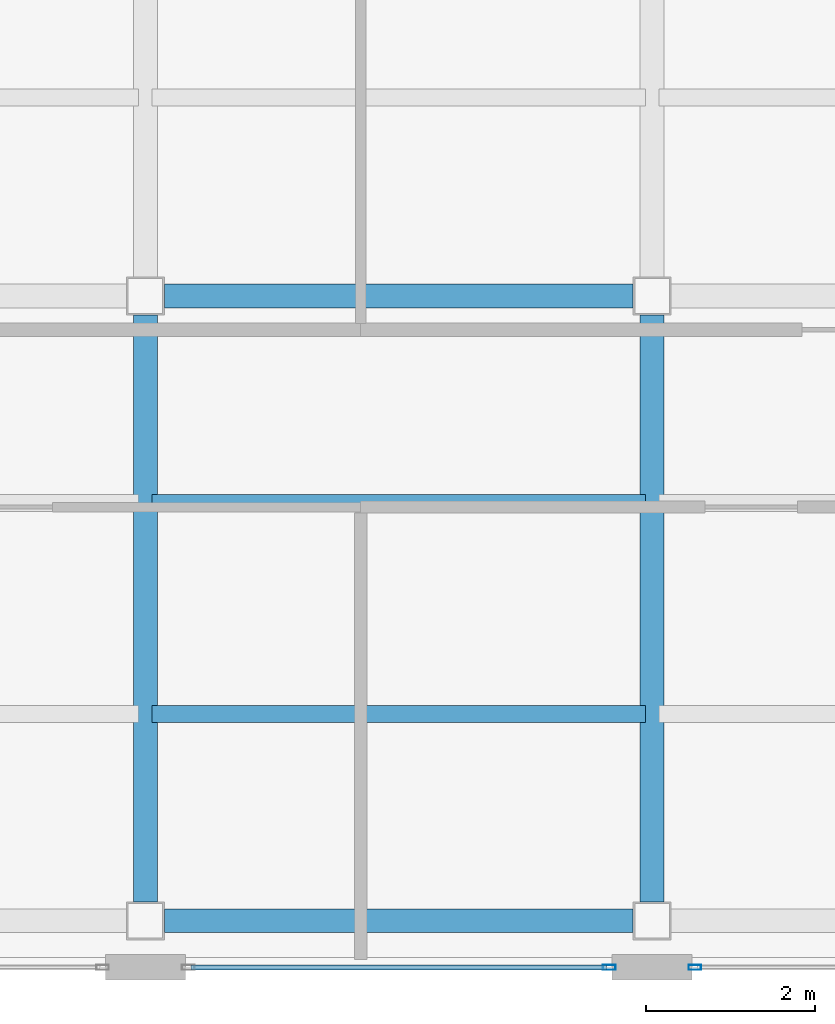
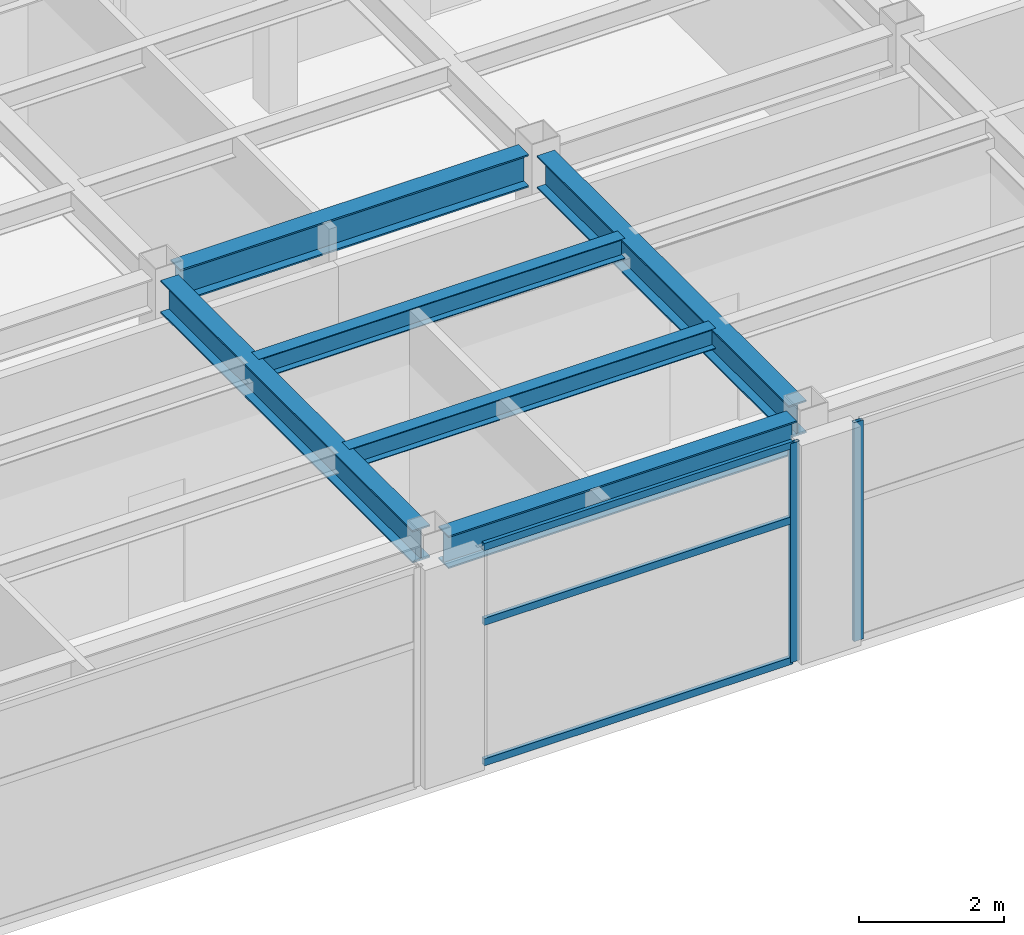
# One storey, part 5 of 17: 6 beams, 5 members, 2 elements without a shape of their own.
"""IFC4 building model written with IfcOpenShell, lengths in metres."""

from ifc_helpers import new_model, si_unit, direction, frame, origin, origin_2d, place, context, subcontext, project, spatial, hollow_rectangle, i_section, extrude, material, layer, layer_set, material_profile, profile_set, type_object, element, aggregate, save


model = new_model("IFC4")

# Units and contexts
model_context = context("Model", 3, precision=1e-05, world=origin(), true_north=direction((0.0, 1.0)))
body_context = subcontext(model_context, "Body", "Model", "MODEL_VIEW")
ifc_project = project(units=[si_unit("LENGTHUNIT", "METRE"), si_unit("AREAUNIT", "SQUARE_METRE"), si_unit("VOLUMEUNIT", "CUBIC_METRE"), si_unit("PLANEANGLEUNIT", "RADIAN"), si_unit("MASSUNIT", "GRAM", prefix="KILO")], contexts=[model_context])

# Site, building, storey
site_placement = place(None, origin())
site = spatial("IfcSite", under=ifc_project, at=site_placement, CompositionType="ELEMENT")
building_placement = place(site_placement, origin())
building = spatial("IfcBuilding", under=site, at=building_placement, Name="Mawjaban Terraces University", CompositionType="ELEMENT")
storey_placement = place(building_placement, frame((0.0, 0.0, 183.60009765625)))
storey = spatial("IfcBuildingStorey", under=building, at=storey_placement, Name="L44", CompositionType="ELEMENT", Elevation=183.60009765625)

# Beams
ifc_material_1 = material(Name="Steel ASTM A572 Grade 50", Category="steel")
ifc_material_profile_1 = material_profile(ifc_material_1, i_section(OverallWidth=0.281005859375, OverallDepth=0.551025390625, WebThickness=0.01513671875, FlangeThickness=0.02587890625, at=origin_2d()), Name="W530X182")
ifc_profile_set_1 = profile_set([ifc_material_profile_1], Name="Steel ASTM A572 Grade 50")
beam_type_1 = type_object("IfcBeamType", Name="Beam_B_W530X182", PredefinedType="BEAM", material=ifc_profile_set_1)
for number, where, z_axis, x_axis, name in (
    (1, (46.22509765625, 0.550048828125, 3.413818359375), (1.0, 0.0, 0.0), (0.0, 1.0, 0.0), "L44 Beam BM-L44-EW-02"),
    (2, (46.22509765625, 7.949951171875, 3.413818359375), (1.0, 0.0, 0.0), (0.0, 1.0, 0.0), "L44 Beam BM-L44-EW-05"),
):
    element("IfcBeam", number, at=place(storey_placement, frame(where, z_axis=z_axis, x_axis=x_axis)), inside=storey, type_object=beam_type_1, Name=name, PredefinedType="BEAM", context=body_context, shape_type="SweptSolid", body=[
        extrude(i_section(OverallWidth=0.281005859375, OverallDepth=0.551025390625, WebThickness=0.01513671875, FlangeThickness=0.02587890625, at=origin_2d()), origin(), (0.0, 0.0, 1.0), 5.5498046875),
    ])
for number, where, z_axis, x_axis, name in (
    (3, (46.0, 0.77490234375, 3.413818359375), (0.0, 1.0, 0.0), (-1.0, 0.0, 0.0), "L44 Beam BM-L44-NS-10"),
    (4, (52.0, 0.77490234375, 3.413818359375), (0.0, 1.0, 0.0), (-1.0, 0.0, 0.0), "L44 Beam BM-L44-NS-12"),
):
    element("IfcBeam", number, at=place(storey_placement, frame(where, z_axis=z_axis, x_axis=x_axis)), inside=storey, type_object=beam_type_1, Name=name, PredefinedType="BEAM", context=body_context, shape_type="SweptSolid", body=[
        extrude(i_section(OverallWidth=0.281005859375, OverallDepth=0.551025390625, WebThickness=0.01513671875, FlangeThickness=0.02587890625, at=origin_2d()), origin(), (0.0, 0.0, 1.0), 6.9501953125),
    ])
ifc_material_profile_2 = material_profile(ifc_material_1, i_section(OverallWidth=0.202880859375, OverallDepth=0.346923828125, WebThickness=0.0078125, FlangeThickness=0.013427734375, at=origin_2d()), Name="W360X64")
ifc_profile_set_2 = profile_set([ifc_material_profile_2], Name="Steel ASTM A572 Grade 50")
beam_type_2 = type_object("IfcBeamType", Name="Beam_J_W360X64", PredefinedType="JOIST", material=ifc_profile_set_2)
for number, where, z_axis, x_axis, name in (
    (5, (46.080078125, 3.0, 3.516845703125), (1.0, 0.0, 0.0), (0.0, 1.0, 0.0), "L44 Composite Joist JST-L44-02"),
    (6, (46.080078125, 5.5, 3.516845703125), (1.0, 0.0, 0.0), (0.0, 1.0, 0.0), "L44 Composite Joist JST-L44-05"),
):
    element("IfcBeam", number, at=place(storey_placement, frame(where, z_axis=z_axis, x_axis=x_axis)), inside=storey, type_object=beam_type_2, Name=name, PredefinedType="JOIST", context=body_context, shape_type="SweptSolid", body=[
        extrude(i_section(OverallWidth=0.202880859375, OverallDepth=0.346923828125, WebThickness=0.0078125, FlangeThickness=0.013427734375, at=origin_2d()), origin(), (0.0, 0.0, 1.0), 5.83984375),
    ])

# Curtain wall, member
ifc_material_2 = material(Name="Anodised aluminium 6063-T6 and solar-control low-E glass", Category="aluminium")
ifc_layer = layer(ifc_material_2, 0.159912109375)
ifc_layer_set = layer_set([ifc_layer], Name="Anodised aluminium 6063-T6 and solar-control low-E glass")
curtain_wall_type = type_object("IfcCurtainWallType", Name="CWSystem_03_NorthWing", PredefinedType="NOTDEFINED", material=ifc_layer_set)
curtain_wall_1_placement = place(storey_placement, origin())
curtain_wall_1 = element("IfcCurtainWall", 7, at=curtain_wall_1_placement, inside=storey, type_object=curtain_wall_type, Name="L44 Curtain Wall CW-03 Run 1.3", PredefinedType="NOTDEFINED")
ifc_material_3 = material(Name="Anodised aluminium 6063-T6", Category="aluminium")
ifc_material_profile_3 = material_profile(ifc_material_3, hollow_rectangle(XDim=0.06005859375, YDim=0.14990234375, WallThickness=0.00390625, at=origin_2d()), Name="ALU150X60X4")
ifc_profile_set_3 = profile_set([ifc_material_profile_3], Name="Anodised aluminium 6063-T6")
member_type_1 = type_object("IfcMemberType", Name="Mullion_CW-03", PredefinedType="MULLION", material=ifc_profile_set_3)
member_1_placement = place(storey_placement, frame((51.492431640625, 0.0, 0.0), z_axis=(0.0, 0.0, 1.0), x_axis=(0.0, 1.0, 0.0)))
member_1 = element("IfcMember", 8, at=member_1_placement, type_object=member_type_1, Name="CW-03 mullion 2", PredefinedType="MULLION", context=body_context, shape_type="SweptSolid", body=[
    extrude(hollow_rectangle(XDim=0.06005859375, YDim=0.14990234375, WallThickness=0.00390625, at=origin_2d()), origin(), (0.0, 0.0, 1.0), 3.68994140625),
])

curtain_wall_2_placement = place(storey_placement, origin())
curtain_wall_2 = element("IfcCurtainWall", 9, at=curtain_wall_2_placement, inside=storey, type_object=curtain_wall_type, Name="L44 Curtain Wall CW-03 Run 1.4", PredefinedType="NOTDEFINED")
member_2_placement = place(storey_placement, frame((52.507568359375, 0.0, 0.0), z_axis=(0.0, 0.0, 1.0), x_axis=(0.0, 1.0, 0.0)))
member_2 = element("IfcMember", 10, at=member_2_placement, type_object=member_type_1, Name="CW-03 mullion 1", PredefinedType="MULLION", context=body_context, shape_type="SweptSolid", body=[
    extrude(hollow_rectangle(XDim=0.06005859375, YDim=0.14990234375, WallThickness=0.00390625, at=origin_2d()), origin(), (0.0, 0.0, 1.0), 3.68994140625),
])
aggregate(curtain_wall_2, [member_2])

# Member
ifc_material_profile_4 = material_profile(ifc_material_3, hollow_rectangle(XDim=0.06005859375, YDim=0.1201171875, WallThickness=0.00341796875, at=origin_2d()), Name="ALU120X60X3.5")
ifc_profile_set_4 = profile_set([ifc_material_profile_4], Name="Anodised aluminium 6063-T6")
member_type_2 = type_object("IfcMemberType", Name="Transom_CW-03", PredefinedType="NOTDEFINED", material=ifc_profile_set_4)
member_3_placement = place(storey_placement, frame((46.5400390625, 0.0, 0.02978515625), z_axis=(1.0, 0.0, 0.0), x_axis=(0.0, 1.0, 0.0)))
member_3 = element("IfcMember", 11, at=member_3_placement, type_object=member_type_2, Name="CW-03 transom 1.1", ObjectType="TRANSOM", PredefinedType="USERDEFINED", context=body_context, shape_type="SweptSolid", body=[
    extrude(hollow_rectangle(XDim=0.06005859375, YDim=0.1201171875, WallThickness=0.00341796875, at=origin_2d()), origin(), (0.0, 0.0, 1.0), 4.919921875),
])

member_4_placement = place(storey_placement, frame((46.5400390625, 0.0, 2.39794921875), z_axis=(1.0, 0.0, 0.0), x_axis=(0.0, 1.0, 0.0)))
member_4 = element("IfcMember", 12, at=member_4_placement, type_object=member_type_2, Name="CW-03 transom 1.2", ObjectType="TRANSOM", PredefinedType="USERDEFINED", context=body_context, shape_type="SweptSolid", body=[
    extrude(hollow_rectangle(XDim=0.06005859375, YDim=0.1201171875, WallThickness=0.00341796875, at=origin_2d()), origin(), (0.0, 0.0, 1.0), 4.919921875),
])

member_5_placement = place(storey_placement, frame((46.5400390625, 0.0, 3.659912109375), z_axis=(1.0, 0.0, 0.0), x_axis=(0.0, 1.0, 0.0)))
member_5 = element("IfcMember", 13, at=member_5_placement, type_object=member_type_2, Name="CW-03 transom 1.3", ObjectType="TRANSOM", PredefinedType="USERDEFINED", context=body_context, shape_type="SweptSolid", body=[
    extrude(hollow_rectangle(XDim=0.06005859375, YDim=0.1201171875, WallThickness=0.00341796875, at=origin_2d()), origin(), (0.0, 0.0, 1.0), 4.919921875),
])

aggregate(curtain_wall_1, [member_1, member_3, member_4, member_5])

save(model, "model.ifc")
